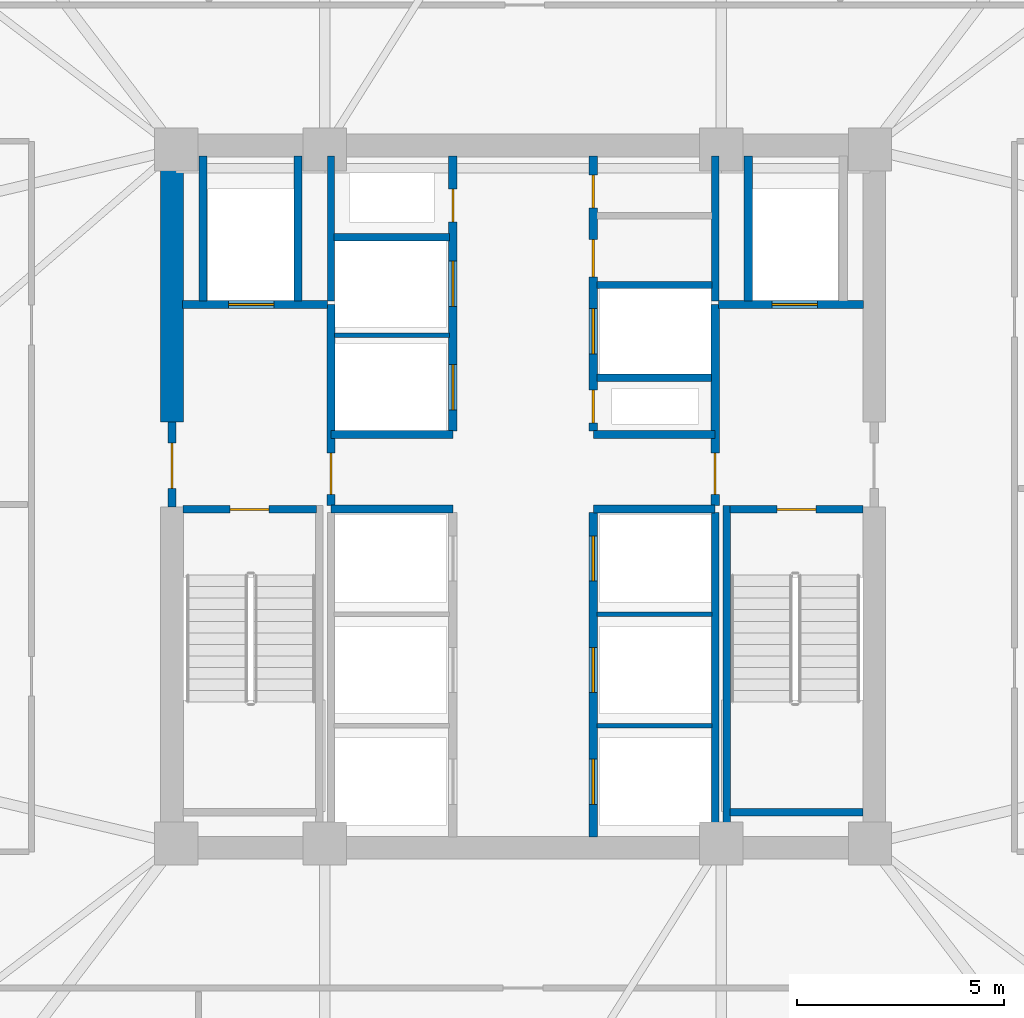
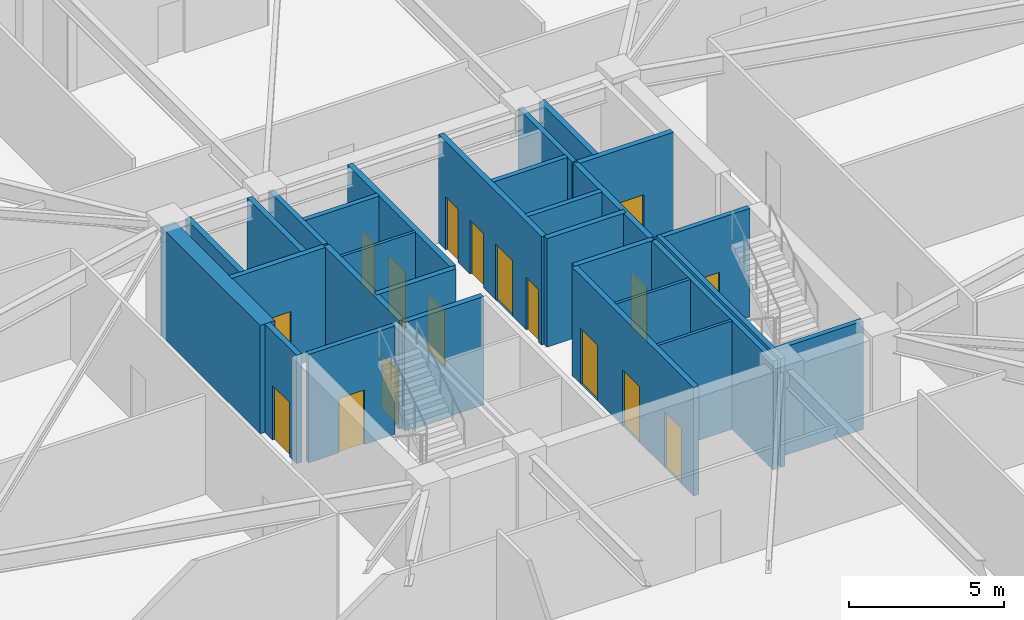
# One storey, part 7 of 13: 29 walls, 17 doors, 17 openings.
"""IFC4 building model written with IfcOpenShell, lengths in metres."""

from ifc_helpers import new_model, si_unit, direction, frame, frame_2d, origin, place, context, subcontext, project, spatial, rectangle, extrude, material, layer, layer_set, type_object, element, fill, save


model = new_model("IFC4")

# Units and contexts
model_context = context("Model", 3, precision=1e-05, world=origin(), true_north=direction((0.0, 1.0)))
body_context = subcontext(model_context, "Body", "Model", "MODEL_VIEW")
ifc_project = project(units=[si_unit("LENGTHUNIT", "METRE"), si_unit("AREAUNIT", "SQUARE_METRE"), si_unit("VOLUMEUNIT", "CUBIC_METRE"), si_unit("PLANEANGLEUNIT", "RADIAN"), si_unit("MASSUNIT", "GRAM", prefix="KILO")], contexts=[model_context])

# Site, building, storey
site_placement = place(None, origin())
site = spatial("IfcSite", under=ifc_project, at=site_placement, CompositionType="ELEMENT")
building_placement = place(site_placement, origin())
building = spatial("IfcBuilding", under=site, at=building_placement, Name="Cairnveth Concourse Tower", CompositionType="ELEMENT")
storey_placement = place(building_placement, frame((0.0, 0.0, 101.5)))
storey = spatial("IfcBuildingStorey", under=building, at=storey_placement, Name="L27", CompositionType="ELEMENT", Elevation=101.5)

# Walls
ifc_material_1 = material(Name="Concrete N80 (80 MPa)", Category="concrete")
ifc_layer_1 = layer(ifc_material_1, 0.550048828125)
ifc_layer_set_1 = layer_set([ifc_layer_1], Name="Concrete N80 (80 MPa)")
wall_type_1 = type_object("IfcWallType", Name="CORE SHEAR WALL 550", PredefinedType="SHEAR", material=ifc_layer_set_1)
wall_1_placement = place(storey_placement, frame((43.5, 40.800048828125, 0.0), z_axis=(0.0, 0.0, 1.0), x_axis=(0.0, 1.0, 0.0)))
element("IfcWall", 1, at=wall_1_placement, inside=storey, type_object=wall_type_1, Name="Core West Shear Wall N L27", PredefinedType="SHEAR", context=body_context, shape_type="SweptSolid", body=[
    extrude(rectangle(XDim=6.43505859375, YDim=0.550048828125, at=frame_2d((3.217529296875, 0.0))), origin(), (0.0, 0.0, 1.0), 4.280029296875),
])
ifc_material_2 = material(Name="Concrete N50 (50 MPa)", Category="concrete")
ifc_layer_2 = layer(ifc_material_2, 0.179931640625)
ifc_layer_set_2 = layer_set([ifc_layer_2], Name="Concrete N50 (50 MPa)")
wall_type_2 = type_object("IfcWallType", Name="FIRE SHAFT WALL 180", PredefinedType="SOLIDWALL", material=ifc_layer_set_2)
wall_2_placement = place(storey_placement, frame((56.64990234375, 30.760009765625, 0.0), z_axis=(0.0, 0.0, 1.0), x_axis=(0.0, 1.0, 0.0)))
element("IfcWall", 2, at=wall_2_placement, inside=storey, type_object=wall_type_2, Name="Interior Wall IW-L27-028", PredefinedType="SOLIDWALL", context=body_context, shape_type="SweptSolid", body=[
    extrude(rectangle(XDim=7.85498046875, YDim=0.179931640625, at=frame_2d((3.927490234375, 0.0))), origin(), (0.0, 0.0, 1.0), 4.280029296875),
])
wall_3_placement = place(storey_placement, frame((47.35009765625, 43.735107421875, 0.0), z_axis=(0.0, 0.0, 1.0), x_axis=(0.0, 1.0, 0.0)))
element("IfcWall", 3, at=wall_3_placement, inside=storey, type_object=wall_type_2, Name="Interior Wall IW-L27-031", PredefinedType="SOLIDWALL", context=body_context, shape_type="SweptSolid", body=[
    extrude(rectangle(XDim=3.5048828125, YDim=0.179931640625, at=frame_2d((1.75244140625, 0.0))), origin(), (0.0, 0.0, 1.0), 4.280029296875),
])
wall_4_placement = place(storey_placement, frame((47.425048828125, 45.280029296875, 0.0), z_axis=(0.0, 0.0, 1.0), x_axis=(1.0, 0.0, 0.0)))
element("IfcWall", 4, at=wall_4_placement, inside=storey, type_object=wall_type_2, Name="Interior Wall IW-L27-033", PredefinedType="SOLIDWALL", context=body_context, shape_type="SweptSolid", body=[
    extrude(rectangle(XDim=2.7900390625, YDim=0.179931640625, at=frame_2d((1.39501953125, 0.0))), origin(), (0.0, 0.0, 1.0), 4.280029296875),
])
wall_5_placement = place(storey_placement, frame((56.64990234375, 43.735107421875, 0.0), z_axis=(0.0, 0.0, 1.0), x_axis=(0.0, 1.0, 0.0)))
element("IfcWall", 5, at=wall_5_placement, inside=storey, type_object=wall_type_2, Name="Interior Wall IW-L27-034", PredefinedType="SOLIDWALL", context=body_context, shape_type="SweptSolid", body=[
    extrude(rectangle(XDim=3.5048828125, YDim=0.179931640625, at=frame_2d((1.75244140625, 0.0))), origin(), (0.0, 0.0, 1.0), 4.280029296875),
])
wall_6_placement = place(storey_placement, frame((53.784912109375, 41.8798828125, 0.0), z_axis=(0.0, 0.0, 1.0), x_axis=(1.0, 0.0, 0.0)))
element("IfcWall", 6, at=wall_6_placement, inside=storey, type_object=wall_type_2, Name="Interior Wall IW-L27-035", PredefinedType="SOLIDWALL", context=body_context, shape_type="SweptSolid", body=[
    extrude(rectangle(XDim=2.780029296875, YDim=0.179931640625, at=frame_2d((1.39013671875, 0.0))), origin(), (0.0, 0.0, 1.0), 4.280029296875),
])
wall_7_placement = place(storey_placement, frame((53.784912109375, 44.1201171875, 0.0), z_axis=(0.0, 0.0, 1.0), x_axis=(1.0, 0.0, 0.0)))
element("IfcWall", 7, at=wall_7_placement, inside=storey, type_object=wall_type_2, Name="Interior Wall IW-L27-036", PredefinedType="SOLIDWALL", context=body_context, shape_type="SweptSolid", body=[
    extrude(rectangle(XDim=2.7900390625, YDim=0.179931640625, at=frame_2d((1.39501953125, 0.0))), origin(), (0.0, 0.0, 1.0), 4.280029296875),
])

# Wall, opening, door
wall_8_placement = place(storey_placement, frame((43.764892578125, 38.68994140625, 0.0), z_axis=(0.0, 0.0, 1.0), x_axis=(1.0, 0.0, 0.0)))
wall_8 = element("IfcWall", 8, at=wall_8_placement, inside=storey, type_object=wall_type_2, Name="Stair ST-1 Shaft Wall NEAR L27", PredefinedType="SOLIDWALL", context=body_context, shape_type="SweptSolid", body=[
    extrude(rectangle(XDim=3.230224609375, YDim=0.179931640625, at=frame_2d((1.615234375, 0.0))), origin(), (0.0, 0.0, 1.0), 4.280029296875),
])
opening_1_placement = place(wall_8_placement, frame((1.139892578125, 0.0, 0.0)))
opening_1 = element("IfcOpeningElement", 9, at=opening_1_placement, cuts=wall_8, Name="Opening ID12", PredefinedType="OPENING", context=body_context, shape_type="SweptSolid", body=[
    extrude(rectangle(XDim=0.949951171875, YDim=2.14990234375, at=frame_2d((0.47509765625, 1.074951171875))), frame((0.0, 0.099853515625, 0.0), z_axis=(0.0, -1.0, 0.0), x_axis=(1.0, 0.0, 0.0)), (0.0, 0.0, 1.0), 0.199951171875),
])
ifc_material_3 = material(Name="Steel Grade 350", Category="steel")
door_type_1 = type_object("IfcDoorType", Name="FIRE STAIR DOOR 950X2150", OperationType="NOTDEFINED", PredefinedType="DOOR", material=ifc_material_3)
door_1_placement = place(opening_1_placement, origin())
door_1 = element("IfcDoor", 10, at=door_1_placement, inside=storey, type_object=door_type_1, Name="Stair ST-1 Fire Door L27", OperationType="SINGLE_SWING_LEFT", OverallHeight=2.14990234375, OverallWidth=0.949951171875, PredefinedType="DOOR", context=body_context, shape_type="SweptSolid", body=[
    extrude(rectangle(XDim=0.949951171875, YDim=2.14990234375, at=frame_2d((0.47509765625, 1.074951171875))), frame((0.0, 0.02490234375, 0.0), z_axis=(0.0, -1.0, 0.0), x_axis=(1.0, 0.0, 0.0)), (0.0, 0.0, 1.0), 0.050048828125),
])
fill(opening_1, door_1)

wall_9_placement = place(storey_placement, frame((57.0048828125, 38.68994140625, 0.0), z_axis=(0.0, 0.0, 1.0), x_axis=(1.0, 0.0, 0.0)))
wall_9 = element("IfcWall", 11, at=wall_9_placement, inside=storey, type_object=wall_type_2, Name="Stair ST-2 Shaft Wall NEAR L27", PredefinedType="SOLIDWALL", context=body_context, shape_type="SweptSolid", body=[
    extrude(rectangle(XDim=3.230224609375, YDim=0.179931640625, at=frame_2d((1.615234375, 0.0))), origin(), (0.0, 0.0, 1.0), 4.280029296875),
])
opening_2_placement = place(wall_9_placement, frame((1.139892578125, 0.0, 0.0)))
opening_2 = element("IfcOpeningElement", 12, at=opening_2_placement, cuts=wall_9, Name="Opening ID12", PredefinedType="OPENING", context=body_context, shape_type="SweptSolid", body=[
    extrude(rectangle(XDim=0.949951171875, YDim=2.14990234375, at=frame_2d((0.47509765625, 1.074951171875))), frame((0.0, 0.099853515625, 0.0), z_axis=(0.0, -1.0, 0.0), x_axis=(1.0, 0.0, 0.0)), (0.0, 0.0, 1.0), 0.199951171875),
])
door_2_placement = place(opening_2_placement, origin())
door_2 = element("IfcDoor", 13, at=door_2_placement, inside=storey, type_object=door_type_1, Name="Stair ST-2 Fire Door L27", OperationType="SINGLE_SWING_RIGHT", OverallHeight=2.14990234375, OverallWidth=0.949951171875, PredefinedType="DOOR", context=body_context, shape_type="SweptSolid", body=[
    extrude(rectangle(XDim=0.949951171875, YDim=2.14990234375, at=frame_2d((0.47509765625, 1.074951171875))), frame((0.0, 0.02490234375, 0.0), z_axis=(0.0, -1.0, 0.0), x_axis=(1.0, 0.0, 0.0)), (0.0, 0.0, 1.0), 0.050048828125),
])
fill(opening_2, door_2)

# Walls
wall_10_placement = place(storey_placement, frame((57.0048828125, 31.360107421875, 0.0), z_axis=(0.0, 0.0, 1.0), x_axis=(1.0, 0.0, 0.0)))
element("IfcWall", 14, at=wall_10_placement, inside=storey, type_object=wall_type_2, Name="Stair ST-2 Shaft Wall FAR L27", PredefinedType="SOLIDWALL", context=body_context, shape_type="SweptSolid", body=[
    extrude(rectangle(XDim=3.230224609375, YDim=0.179931640625, at=frame_2d((1.615234375, 0.0))), origin(), (0.0, 0.0, 1.0), 4.280029296875),
])
wall_11_placement = place(storey_placement, frame((56.929931640625, 38.780029296875, 0.0), z_axis=(0.0, 0.0, 1.0), x_axis=(0.0, -1.0, 0.0)))
element("IfcWall", 15, at=wall_11_placement, inside=storey, type_object=wall_type_2, Name="Stair ST-2 Shaft Wall LEFT L27", PredefinedType="SOLIDWALL", context=body_context, shape_type="SweptSolid", body=[
    extrude(rectangle(XDim=8.01708984375, YDim=0.179931640625, at=frame_2d((4.008544921875, 0.0))), origin(), (0.0, 0.0, 1.0), 4.280029296875),
])
ifc_layer_3 = layer(ifc_material_2, 0.199951171875)
ifc_layer_set_3 = layer_set([ifc_layer_3], Name="Concrete N50 (50 MPa)")
wall_type_3 = type_object("IfcWallType", Name="FIRE SHAFT WALL 200", PredefinedType="SOLIDWALL", material=ifc_layer_set_3)
for number, where, z_axis, x_axis, name in (
    (16, (47.35009765625, 38.699951171875, 0.0), (0.0, 0.0, 1.0), (1.0, 0.0, 0.0), "Interior Wall IW-L27-007"),
    (17, (47.35009765625, 40.5, 0.0), (0.0, 0.0, 1.0), (1.0, 0.0, 0.0), "Interior Wall IW-L27-008"),
    (18, (53.699951171875, 38.699951171875, 0.0), (0.0, 0.0, 1.0), (1.0, 0.0, 0.0), "Interior Wall IW-L27-009"),
    (19, (53.699951171875, 40.5, 0.0), (0.0, 0.0, 1.0), (1.0, 0.0, 0.0), "Interior Wall IW-L27-010"),
):
    element("IfcWall", number, at=place(storey_placement, frame(where, z_axis=z_axis, x_axis=x_axis)), inside=storey, type_object=wall_type_3, Name=name, PredefinedType="SOLIDWALL", context=body_context, shape_type="SweptSolid", body=[
        extrude(rectangle(XDim=2.949951171875, YDim=0.199951171875, at=frame_2d((1.47509765625, 0.0))), origin(), (0.0, 0.0, 1.0), 4.280029296875),
    ])

# Wall, openings, doors
wall_12_placement = place(storey_placement, frame((53.699951171875, 30.760009765625, 0.0), z_axis=(0.0, 0.0, 1.0), x_axis=(0.0, 1.0, 0.0)))
wall_12 = element("IfcWall", 20, at=wall_12_placement, inside=storey, type_object=wall_type_3, Name="Interior Wall IW-L27-012", PredefinedType="SOLIDWALL", context=body_context, shape_type="SweptSolid", body=[
    extrude(rectangle(XDim=7.85498046875, YDim=0.199951171875, at=frame_2d((3.927490234375, 0.0))), origin(), (0.0, 0.0, 1.0), 4.280029296875),
])
opening_3_placement = place(wall_12_placement, frame((0.7900390625, 0.0, 0.0)))
opening_3 = element("IfcOpeningElement", 21, at=opening_3_placement, cuts=wall_12, Name="Opening LD-1", PredefinedType="OPENING", context=body_context, shape_type="SweptSolid", body=[
    extrude(rectangle(XDim=1.10009765625, YDim=2.199951171875, at=frame_2d((0.550048828125, 1.10009765625))), frame((0.0, 0.10986328125, 0.0), z_axis=(0.0, -1.0, 0.0), x_axis=(1.0, 0.0, 0.0)), (0.0, 0.0, 1.0), 0.219970703125),
])
opening_4_placement = place(wall_12_placement, frame((3.489990234375, 0.0, 0.0)))
opening_4 = element("IfcOpeningElement", 22, at=opening_4_placement, cuts=wall_12, Name="Opening LD-1", PredefinedType="OPENING", context=body_context, shape_type="SweptSolid", body=[
    extrude(rectangle(XDim=1.10009765625, YDim=2.199951171875, at=frame_2d((0.550048828125, 1.10009765625))), frame((0.0, 0.10986328125, 0.0), z_axis=(0.0, -1.0, 0.0), x_axis=(1.0, 0.0, 0.0)), (0.0, 0.0, 1.0), 0.219970703125),
])
opening_5_placement = place(wall_12_placement, frame((6.18994140625, 0.0, 0.0)))
opening_5 = element("IfcOpeningElement", 23, at=opening_5_placement, cuts=wall_12, Name="Opening LD-1", PredefinedType="OPENING", context=body_context, shape_type="SweptSolid", body=[
    extrude(rectangle(XDim=1.10009765625, YDim=2.199951171875, at=frame_2d((0.550048828125, 1.10009765625))), frame((0.0, 0.10986328125, 0.0), z_axis=(0.0, -1.0, 0.0), x_axis=(1.0, 0.0, 0.0)), (0.0, 0.0, 1.0), 0.219970703125),
])
ifc_material_4 = material(Name="Architectural Bronze Anodised Aluminium 6063-T6", Category="aluminium")
door_type_2 = type_object("IfcDoorType", Name="LIFT LANDING DOOR 1100X2200", OperationType="SLIDING_TO_LEFT", PredefinedType="DOOR", material=ifc_material_4)
door_3_placement = place(opening_3_placement, origin())
door_3 = element("IfcDoor", 24, at=door_3_placement, inside=storey, type_object=door_type_2, Name="Lift PL4 Landing Door L27", OperationType="SLIDING_TO_LEFT", OverallHeight=2.199951171875, OverallWidth=1.10009765625, PredefinedType="DOOR", context=body_context, shape_type="SweptSolid", body=[
    extrude(rectangle(XDim=1.10009765625, YDim=2.199951171875, at=frame_2d((0.550048828125, 1.10009765625))), frame((0.0, 0.02490234375, 0.0), z_axis=(0.0, -1.0, 0.0), x_axis=(1.0, 0.0, 0.0)), (0.0, 0.0, 1.0), 0.050048828125),
])
fill(opening_3, door_3)
door_4_placement = place(opening_4_placement, origin())
door_4 = element("IfcDoor", 25, at=door_4_placement, inside=storey, type_object=door_type_2, Name="Lift PL5 Landing Door L27", OperationType="SLIDING_TO_LEFT", OverallHeight=2.199951171875, OverallWidth=1.10009765625, PredefinedType="DOOR", context=body_context, shape_type="SweptSolid", body=[
    extrude(rectangle(XDim=1.10009765625, YDim=2.199951171875, at=frame_2d((0.550048828125, 1.10009765625))), frame((0.0, 0.02490234375, 0.0), z_axis=(0.0, -1.0, 0.0), x_axis=(1.0, 0.0, 0.0)), (0.0, 0.0, 1.0), 0.050048828125),
])
fill(opening_4, door_4)
door_5_placement = place(opening_5_placement, origin())
door_5 = element("IfcDoor", 26, at=door_5_placement, inside=storey, type_object=door_type_2, Name="Lift PL6 Landing Door L27", OperationType="SLIDING_TO_LEFT", OverallHeight=2.199951171875, OverallWidth=1.10009765625, PredefinedType="DOOR", context=body_context, shape_type="SweptSolid", body=[
    extrude(rectangle(XDim=1.10009765625, YDim=2.199951171875, at=frame_2d((0.550048828125, 1.10009765625))), frame((0.0, 0.02490234375, 0.0), z_axis=(0.0, -1.0, 0.0), x_axis=(1.0, 0.0, 0.0)), (0.0, 0.0, 1.0), 0.050048828125),
])
fill(opening_5, door_5)

wall_13_placement = place(storey_placement, frame((50.300048828125, 40.5849609375, 0.0), z_axis=(0.0, 0.0, 1.0), x_axis=(0.0, 1.0, 0.0)))
wall_13 = element("IfcWall", 27, at=wall_13_placement, inside=storey, type_object=wall_type_3, Name="Interior Wall IW-L27-013", PredefinedType="SOLIDWALL", context=body_context, shape_type="SweptSolid", body=[
    extrude(rectangle(XDim=6.655029296875, YDim=0.199951171875, at=frame_2d((3.32763671875, 0.0))), origin(), (0.0, 0.0, 1.0), 4.280029296875),
])
opening_6_placement = place(wall_13_placement, frame((0.514892578125, 0.0, 0.0)))
opening_6 = element("IfcOpeningElement", 28, at=opening_6_placement, cuts=wall_13, Name="Opening LD-1", PredefinedType="OPENING", context=body_context, shape_type="SweptSolid", body=[
    extrude(rectangle(XDim=1.10009765625, YDim=2.199951171875, at=frame_2d((0.550048828125, 1.10009765625))), frame((0.0, 0.10986328125, 0.0), z_axis=(0.0, -1.0, 0.0), x_axis=(1.0, 0.0, 0.0)), (0.0, 0.0, 1.0), 0.219970703125),
])
opening_7_placement = place(wall_13_placement, frame((3.014892578125, 0.0, 0.0)))
opening_7 = element("IfcOpeningElement", 29, at=opening_7_placement, cuts=wall_13, Name="Opening LD-1", PredefinedType="OPENING", context=body_context, shape_type="SweptSolid", body=[
    extrude(rectangle(XDim=1.10009765625, YDim=2.199951171875, at=frame_2d((0.550048828125, 1.10009765625))), frame((0.0, 0.10986328125, 0.0), z_axis=(0.0, -1.0, 0.0), x_axis=(1.0, 0.0, 0.0)), (0.0, 0.0, 1.0), 0.219970703125),
])
opening_8_placement = place(wall_13_placement, frame((5.06494140625, 0.0, 0.0)))
opening_8 = element("IfcOpeningElement", 30, at=opening_8_placement, cuts=wall_13, Name="Opening ID24", PredefinedType="OPENING", context=body_context, shape_type="SweptSolid", body=[
    extrude(rectangle(XDim=0.800048828125, YDim=2.080078125, at=frame_2d((0.39990234375, 1.0400390625))), frame((0.0, 0.10986328125, 0.0), z_axis=(0.0, -1.0, 0.0), x_axis=(1.0, 0.0, 0.0)), (0.0, 0.0, 1.0), 0.219970703125),
])
door_6_placement = place(opening_6_placement, origin())
door_6 = element("IfcDoor", 31, at=door_6_placement, inside=storey, type_object=door_type_2, Name="Lift PL7 Landing Door L27", OperationType="SLIDING_TO_LEFT", OverallHeight=2.199951171875, OverallWidth=1.10009765625, PredefinedType="DOOR", context=body_context, shape_type="SweptSolid", body=[
    extrude(rectangle(XDim=1.10009765625, YDim=2.199951171875, at=frame_2d((0.550048828125, 1.10009765625))), frame((0.0, 0.02490234375, 0.0), z_axis=(0.0, -1.0, 0.0), x_axis=(1.0, 0.0, 0.0)), (0.0, 0.0, 1.0), 0.050048828125),
])
fill(opening_6, door_6)
door_7_placement = place(opening_7_placement, origin())
door_7 = element("IfcDoor", 32, at=door_7_placement, inside=storey, type_object=door_type_2, Name="Lift PL8 Landing Door L27", OperationType="SLIDING_TO_LEFT", OverallHeight=2.199951171875, OverallWidth=1.10009765625, PredefinedType="DOOR", context=body_context, shape_type="SweptSolid", body=[
    extrude(rectangle(XDim=1.10009765625, YDim=2.199951171875, at=frame_2d((0.550048828125, 1.10009765625))), frame((0.0, 0.02490234375, 0.0), z_axis=(0.0, -1.0, 0.0), x_axis=(1.0, 0.0, 0.0)), (0.0, 0.0, 1.0), 0.050048828125),
])
fill(opening_7, door_7)
door_type_3 = type_object("IfcDoorType", Name="RISER ACCESS DOOR 800X2100", OperationType="NOTDEFINED", PredefinedType="DOOR", material=ifc_material_3)
door_8_placement = place(opening_8_placement, origin())
door_8 = element("IfcDoor", 33, at=door_8_placement, inside=storey, type_object=door_type_3, Name="NW Electrical Riser Access Door L27", OperationType="SINGLE_SWING_LEFT", OverallHeight=2.080078125, OverallWidth=0.800048828125, PredefinedType="DOOR", context=body_context, shape_type="SweptSolid", body=[
    extrude(rectangle(XDim=0.800048828125, YDim=2.080078125, at=frame_2d((0.39990234375, 1.0400390625))), frame((0.0, 0.02490234375, 0.0), z_axis=(0.0, -1.0, 0.0), x_axis=(1.0, 0.0, 0.0)), (0.0, 0.0, 1.0), 0.050048828125),
])
fill(opening_8, door_8)

wall_14_placement = place(storey_placement, frame((53.699951171875, 40.5849609375, 0.0), z_axis=(0.0, 0.0, 1.0), x_axis=(0.0, 1.0, 0.0)))
wall_14 = element("IfcWall", 34, at=wall_14_placement, inside=storey, type_object=wall_type_3, Name="Interior Wall IW-L27-014", PredefinedType="SOLIDWALL", context=body_context, shape_type="SweptSolid", body=[
    extrude(rectangle(XDim=6.655029296875, YDim=0.199951171875, at=frame_2d((3.32763671875, 0.0))), origin(), (0.0, 0.0, 1.0), 4.280029296875),
])
opening_9_placement = place(wall_14_placement, frame((0.195068359375, 0.0, 0.0)))
opening_9 = element("IfcOpeningElement", 35, at=opening_9_placement, cuts=wall_14, Name="Opening ID24", PredefinedType="OPENING", context=body_context, shape_type="SweptSolid", body=[
    extrude(rectangle(XDim=0.800048828125, YDim=2.080078125, at=frame_2d((0.39990234375, 1.0400390625))), frame((0.0, 0.10986328125, 0.0), z_axis=(0.0, -1.0, 0.0), x_axis=(1.0, 0.0, 0.0)), (0.0, 0.0, 1.0), 0.219970703125),
])
opening_10_placement = place(wall_14_placement, frame((1.864990234375, 0.0, 0.0)))
opening_10 = element("IfcOpeningElement", 36, at=opening_10_placement, cuts=wall_14, Name="Opening LD-1", PredefinedType="OPENING", context=body_context, shape_type="SweptSolid", body=[
    extrude(rectangle(XDim=1.10009765625, YDim=2.199951171875, at=frame_2d((0.550048828125, 1.10009765625))), frame((0.0, 0.10986328125, 0.0), z_axis=(0.0, -1.0, 0.0), x_axis=(1.0, 0.0, 0.0)), (0.0, 0.0, 1.0), 0.219970703125),
])
opening_11_placement = place(wall_14_placement, frame((3.735107421875, 0.0, 0.0)))
opening_11 = element("IfcOpeningElement", 37, at=opening_11_placement, cuts=wall_14, Name="Opening ID26", PredefinedType="OPENING", context=body_context, shape_type="SweptSolid", body=[
    extrude(rectangle(XDim=0.89990234375, YDim=2.1201171875, at=frame_2d((0.449951171875, 1.06005859375))), frame((0.0, 0.10986328125, 0.0), z_axis=(0.0, -1.0, 0.0), x_axis=(1.0, 0.0, 0.0)), (0.0, 0.0, 1.0), 0.219970703125),
])
opening_12_placement = place(wall_14_placement, frame((5.39501953125, 0.0, 0.0)))
opening_12 = element("IfcOpeningElement", 38, at=opening_12_placement, cuts=wall_14, Name="Opening ID23", PredefinedType="OPENING", context=body_context, shape_type="SweptSolid", body=[
    extrude(rectangle(XDim=0.800048828125, YDim=2.10009765625, at=frame_2d((0.39990234375, 1.050048828125))), frame((0.0, 0.10986328125, 0.0), z_axis=(0.0, -1.0, 0.0), x_axis=(1.0, 0.0, 0.0)), (0.0, 0.0, 1.0), 0.219970703125),
])
door_type_4 = type_object("IfcDoorType", Name="CORE SERVICE DOOR 800X2100", OperationType="NOTDEFINED", PredefinedType="DOOR", material=ifc_material_3)
door_9_placement = place(opening_12_placement, origin())
door_9 = element("IfcDoor", 39, at=door_9_placement, inside=storey, type_object=door_type_4, Name="Core NE Cleaners Door L27", OperationType="SINGLE_SWING_LEFT", OverallHeight=2.10009765625, OverallWidth=0.800048828125, PredefinedType="DOOR", context=body_context, shape_type="SweptSolid", body=[
    extrude(rectangle(XDim=0.800048828125, YDim=2.10009765625, at=frame_2d((0.39990234375, 1.050048828125))), frame((0.0, 0.02490234375, 0.0), z_axis=(0.0, -1.0, 0.0), x_axis=(1.0, 0.0, 0.0)), (0.0, 0.0, 1.0), 0.050048828125),
])
fill(opening_12, door_9)
door_type_5 = type_object("IfcDoorType", Name="CORE TOILET FIRE DOOR 900X2120", OperationType="NOTDEFINED", PredefinedType="DOOR", material=ifc_material_3)
door_10_placement = place(opening_11_placement, origin())
door_10 = element("IfcDoor", 40, at=door_10_placement, inside=storey, type_object=door_type_5, Name="Core NE Unisex WC Door L27", OperationType="SINGLE_SWING_RIGHT", OverallHeight=2.1201171875, OverallWidth=0.89990234375, PredefinedType="DOOR", context=body_context, shape_type="SweptSolid", body=[
    extrude(rectangle(XDim=0.89990234375, YDim=2.1201171875, at=frame_2d((0.449951171875, 1.06005859375))), frame((0.0, 0.02490234375, 0.0), z_axis=(0.0, -1.0, 0.0), x_axis=(1.0, 0.0, 0.0)), (0.0, 0.0, 1.0), 0.050048828125),
])
fill(opening_11, door_10)
door_11_placement = place(opening_10_placement, origin())
door_11 = element("IfcDoor", 41, at=door_11_placement, inside=storey, type_object=door_type_2, Name="Lift PL9 Landing Door L27", OperationType="SLIDING_TO_LEFT", OverallHeight=2.199951171875, OverallWidth=1.10009765625, PredefinedType="DOOR", context=body_context, shape_type="SweptSolid", body=[
    extrude(rectangle(XDim=1.10009765625, YDim=2.199951171875, at=frame_2d((0.550048828125, 1.10009765625))), frame((0.0, 0.02490234375, 0.0), z_axis=(0.0, -1.0, 0.0), x_axis=(1.0, 0.0, 0.0)), (0.0, 0.0, 1.0), 0.050048828125),
])
fill(opening_10, door_11)
door_12_placement = place(opening_9_placement, origin())
door_12 = element("IfcDoor", 42, at=door_12_placement, inside=storey, type_object=door_type_3, Name="Hydraulic Riser Door L27", OperationType="SINGLE_SWING_RIGHT", OverallHeight=2.080078125, OverallWidth=0.800048828125, PredefinedType="DOOR", context=body_context, shape_type="SweptSolid", body=[
    extrude(rectangle(XDim=0.800048828125, YDim=2.080078125, at=frame_2d((0.39990234375, 1.0400390625))), frame((0.0, 0.02490234375, 0.0), z_axis=(0.0, -1.0, 0.0), x_axis=(1.0, 0.0, 0.0)), (0.0, 0.0, 1.0), 0.050048828125),
])
fill(opening_9, door_12)

# Wall, opening, door
wall_15_placement = place(storey_placement, frame((43.5, 38.75, 0.0), z_axis=(0.0, 0.0, 1.0), x_axis=(0.0, 1.0, 0.0)))
wall_15 = element("IfcWall", 43, at=wall_15_placement, inside=storey, type_object=wall_type_3, Name="Interior Wall IW-L27-015", PredefinedType="SOLIDWALL", context=body_context, shape_type="SweptSolid", body=[
    extrude(rectangle(XDim=2.050048828125, YDim=0.199951171875, at=frame_2d((1.02490234375, 0.0))), origin(), (0.0, 0.0, 1.0), 4.280029296875),
])
opening_13_placement = place(wall_15_placement, frame((0.449951171875, 0.0, 0.0)))
opening_13 = element("IfcOpeningElement", 44, at=opening_13_placement, cuts=wall_15, Name="Opening ID06", PredefinedType="OPENING", context=body_context, shape_type="SweptSolid", body=[
    extrude(rectangle(XDim=1.10009765625, YDim=2.14990234375, at=frame_2d((0.550048828125, 1.074951171875))), frame((0.0, 0.10986328125, 0.0), z_axis=(0.0, -1.0, 0.0), x_axis=(1.0, 0.0, 0.0)), (0.0, 0.0, 1.0), 0.219970703125),
])
door_type_6 = type_object("IfcDoorType", Name="FIRE CORRIDOR DOOR 1100X2150", OperationType="NOTDEFINED", PredefinedType="DOOR", material=ifc_material_3)
door_13_placement = place(opening_13_placement, origin())
door_13 = element("IfcDoor", 45, at=door_13_placement, inside=storey, type_object=door_type_6, Name="West Wing to FF Lobby Door L27", OperationType="SINGLE_SWING_LEFT", OverallHeight=2.14990234375, OverallWidth=1.10009765625, PredefinedType="DOOR", context=body_context, shape_type="SweptSolid", body=[
    extrude(rectangle(XDim=1.10009765625, YDim=2.14990234375, at=frame_2d((0.550048828125, 1.074951171875))), frame((0.0, 0.02490234375, 0.0), z_axis=(0.0, -1.0, 0.0), x_axis=(1.0, 0.0, 0.0)), (0.0, 0.0, 1.0), 0.050048828125),
])
fill(opening_13, door_13)

wall_16_placement = place(storey_placement, frame((47.35009765625, 38.784912109375, 0.0), z_axis=(0.0, 0.0, 1.0), x_axis=(0.0, 1.0, 0.0)))
wall_16 = element("IfcWall", 46, at=wall_16_placement, inside=storey, type_object=wall_type_3, Name="Interior Wall IW-L27-016", PredefinedType="SOLIDWALL", context=body_context, shape_type="SweptSolid", body=[
    extrude(rectangle(XDim=4.864990234375, YDim=0.199951171875, at=frame_2d((2.4326171875, 0.0))), origin(), (0.0, 0.0, 1.0), 4.280029296875),
])
opening_14_placement = place(wall_16_placement, frame((0.264892578125, 0.0, 0.0)))
opening_14 = element("IfcOpeningElement", 47, at=opening_14_placement, cuts=wall_16, Name="Opening ID07", PredefinedType="OPENING", context=body_context, shape_type="SweptSolid", body=[
    extrude(rectangle(XDim=1.0, YDim=2.14990234375, at=frame_2d((0.5, 1.074951171875))), frame((0.0, 0.10986328125, 0.0), z_axis=(0.0, -1.0, 0.0), x_axis=(1.0, 0.0, 0.0)), (0.0, 0.0, 1.0), 0.219970703125),
])
door_type_7 = type_object("IfcDoorType", Name="FIRE CORRIDOR DOOR 1000X2150", OperationType="NOTDEFINED", PredefinedType="DOOR", material=ifc_material_3)
door_14_placement = place(opening_14_placement, origin())
door_14 = element("IfcDoor", 48, at=door_14_placement, inside=storey, type_object=door_type_7, Name="FF Lobby West to Lift Lobby Door L27", OperationType="SINGLE_SWING_RIGHT", OverallHeight=2.14990234375, OverallWidth=1.0, PredefinedType="DOOR", context=body_context, shape_type="SweptSolid", body=[
    extrude(rectangle(XDim=1.0, YDim=2.14990234375, at=frame_2d((0.5, 1.074951171875))), frame((0.0, 0.02490234375, 0.0), z_axis=(0.0, -1.0, 0.0), x_axis=(1.0, 0.0, 0.0)), (0.0, 0.0, 1.0), 0.050048828125),
])
fill(opening_14, door_14)

wall_17_placement = place(storey_placement, frame((43.760009765625, 43.64990234375, 0.0), z_axis=(0.0, 0.0, 1.0), x_axis=(1.0, 0.0, 0.0)))
wall_17 = element("IfcWall", 49, at=wall_17_placement, inside=storey, type_object=wall_type_3, Name="Interior Wall IW-L27-017", PredefinedType="SOLIDWALL", context=body_context, shape_type="SweptSolid", body=[
    extrude(rectangle(XDim=3.5048828125, YDim=0.199951171875, at=frame_2d((1.75244140625, 0.0))), origin(), (0.0, 0.0, 1.0), 4.280029296875),
])
opening_15_placement = place(wall_17_placement, frame((1.110107421875, 0.0, 0.0)))
opening_15 = element("IfcOpeningElement", 50, at=opening_15_placement, cuts=wall_17, Name="Opening LD-1", PredefinedType="OPENING", context=body_context, shape_type="SweptSolid", body=[
    extrude(rectangle(XDim=1.10009765625, YDim=2.199951171875, at=frame_2d((0.550048828125, 1.10009765625))), frame((0.0, 0.10986328125, 0.0), z_axis=(0.0, -1.0, 0.0), x_axis=(1.0, 0.0, 0.0)), (0.0, 0.0, 1.0), 0.219970703125),
])
door_15_placement = place(opening_15_placement, origin())
door_15 = element("IfcDoor", 51, at=door_15_placement, inside=storey, type_object=door_type_2, Name="Lift FFL1 Landing Door L27", OperationType="SLIDING_TO_LEFT", OverallHeight=2.199951171875, OverallWidth=1.10009765625, PredefinedType="DOOR", context=body_context, shape_type="SweptSolid", body=[
    extrude(rectangle(XDim=1.10009765625, YDim=2.199951171875, at=frame_2d((0.550048828125, 1.10009765625))), frame((0.0, 0.02490234375, 0.0), z_axis=(0.0, -1.0, 0.0), x_axis=(1.0, 0.0, 0.0)), (0.0, 0.0, 1.0), 0.050048828125),
])
fill(opening_15, door_15)

# Walls
for number, where, z_axis, x_axis, name in (
    (52, (46.550048828125, 43.735107421875, 0.0), (0.0, 0.0, 1.0), (0.0, 1.0, 0.0), "Interior Wall IW-L27-018"),
    (53, (44.25, 43.735107421875, 0.0), (0.0, 0.0, 1.0), (0.0, 1.0, 0.0), "Interior Wall IW-L27-019"),
):
    element("IfcWall", number, at=place(storey_placement, frame(where, z_axis=z_axis, x_axis=x_axis)), inside=storey, type_object=wall_type_3, Name=name, PredefinedType="SOLIDWALL", context=body_context, shape_type="SweptSolid", body=[
        extrude(rectangle(XDim=3.5048828125, YDim=0.199951171875, at=frame_2d((1.75244140625, 0.0))), origin(), (0.0, 0.0, 1.0), 4.280029296875),
    ])

# Wall, opening, door
wall_18_placement = place(storey_placement, frame((56.64990234375, 38.784912109375, 0.0), z_axis=(0.0, 0.0, 1.0), x_axis=(0.0, 1.0, 0.0)))
wall_18 = element("IfcWall", 54, at=wall_18_placement, inside=storey, type_object=wall_type_3, Name="Interior Wall IW-L27-021", PredefinedType="SOLIDWALL", context=body_context, shape_type="SweptSolid", body=[
    extrude(rectangle(XDim=4.864990234375, YDim=0.199951171875, at=frame_2d((2.4326171875, 0.0))), origin(), (0.0, 0.0, 1.0), 4.280029296875),
])
opening_16_placement = place(wall_18_placement, frame((0.264892578125, 0.0, 0.0)))
opening_16 = element("IfcOpeningElement", 55, at=opening_16_placement, cuts=wall_18, Name="Opening ID07", PredefinedType="OPENING", context=body_context, shape_type="SweptSolid", body=[
    extrude(rectangle(XDim=1.0, YDim=2.14990234375, at=frame_2d((0.5, 1.074951171875))), frame((0.0, 0.10986328125, 0.0), z_axis=(0.0, -1.0, 0.0), x_axis=(1.0, 0.0, 0.0)), (0.0, 0.0, 1.0), 0.219970703125),
])
door_16_placement = place(opening_16_placement, origin())
door_16 = element("IfcDoor", 56, at=door_16_placement, inside=storey, type_object=door_type_7, Name="FF Lobby East to Lift Lobby Door L27", OperationType="SINGLE_SWING_LEFT", OverallHeight=2.14990234375, OverallWidth=1.0, PredefinedType="DOOR", context=body_context, shape_type="SweptSolid", body=[
    extrude(rectangle(XDim=1.0, YDim=2.14990234375, at=frame_2d((0.5, 1.074951171875))), frame((0.0, 0.02490234375, 0.0), z_axis=(0.0, -1.0, 0.0), x_axis=(1.0, 0.0, 0.0)), (0.0, 0.0, 1.0), 0.050048828125),
])
fill(opening_16, door_16)

wall_19_placement = place(storey_placement, frame((56.735107421875, 43.64990234375, 0.0), z_axis=(0.0, 0.0, 1.0), x_axis=(1.0, 0.0, 0.0)))
wall_19 = element("IfcWall", 57, at=wall_19_placement, inside=storey, type_object=wall_type_3, Name="Interior Wall IW-L27-022", PredefinedType="SOLIDWALL", context=body_context, shape_type="SweptSolid", body=[
    extrude(rectangle(XDim=3.5048828125, YDim=0.199951171875, at=frame_2d((1.75244140625, 0.0))), origin(), (0.0, 0.0, 1.0), 4.280029296875),
])
opening_17_placement = place(wall_19_placement, frame((1.294921875, 0.0, 0.0)))
opening_17 = element("IfcOpeningElement", 58, at=opening_17_placement, cuts=wall_19, Name="Opening LD-1", PredefinedType="OPENING", context=body_context, shape_type="SweptSolid", body=[
    extrude(rectangle(XDim=1.10009765625, YDim=2.199951171875, at=frame_2d((0.550048828125, 1.10009765625))), frame((0.0, 0.10986328125, 0.0), z_axis=(0.0, -1.0, 0.0), x_axis=(1.0, 0.0, 0.0)), (0.0, 0.0, 1.0), 0.219970703125),
])
door_17_placement = place(opening_17_placement, origin())
door_17 = element("IfcDoor", 59, at=door_17_placement, inside=storey, type_object=door_type_2, Name="Lift FFL2 Landing Door L27", OperationType="SLIDING_TO_LEFT", OverallHeight=2.199951171875, OverallWidth=1.10009765625, PredefinedType="DOOR", context=body_context, shape_type="SweptSolid", body=[
    extrude(rectangle(XDim=1.10009765625, YDim=2.199951171875, at=frame_2d((0.550048828125, 1.10009765625))), frame((0.0, 0.02490234375, 0.0), z_axis=(0.0, -1.0, 0.0), x_axis=(1.0, 0.0, 0.0)), (0.0, 0.0, 1.0), 0.050048828125),
])
fill(opening_17, door_17)

# Walls
wall_20_placement = place(storey_placement, frame((57.449951171875, 43.735107421875, 0.0), z_axis=(0.0, 0.0, 1.0), x_axis=(0.0, 1.0, 0.0)))
element("IfcWall", 60, at=wall_20_placement, inside=storey, type_object=wall_type_3, Name="Interior Wall IW-L27-023", PredefinedType="SOLIDWALL", context=body_context, shape_type="SweptSolid", body=[
    extrude(rectangle(XDim=3.5048828125, YDim=0.199951171875, at=frame_2d((1.75244140625, 0.0))), origin(), (0.0, 0.0, 1.0), 4.280029296875),
])
ifc_material_5 = material(Name="Gypsum Plasterboard Partition", Category="gypsum")
ifc_layer_4 = layer(ifc_material_5, 0.110107421875)
ifc_layer_set_4 = layer_set([ifc_layer_4], Name="Gypsum Plasterboard Partition")
wall_type_4 = type_object("IfcWallType", Name="SHAFT DIVIDER WALL 140", PredefinedType="PARTITIONING", material=ifc_layer_set_4)
for number, where, z_axis, x_axis, name in (
    (61, (53.784912109375, 33.449951171875, 0.0), (0.0, 0.0, 1.0), (1.0, 0.0, 0.0), "Interior Wall IW-L27-029"),
    (62, (53.784912109375, 36.14990234375, 0.0), (0.0, 0.0, 1.0), (1.0, 0.0, 0.0), "Interior Wall IW-L27-030"),
):
    element("IfcWall", number, at=place(storey_placement, frame(where, z_axis=z_axis, x_axis=x_axis)), inside=storey, type_object=wall_type_4, Name=name, PredefinedType="PARTITIONING", context=body_context, shape_type="SweptSolid", body=[
        extrude(rectangle(XDim=2.7900390625, YDim=0.110107421875, at=frame_2d((1.39501953125, 0.0))), origin(), (0.0, 0.0, 1.0), 4.280029296875),
    ])
wall_21_placement = place(storey_placement, frame((47.43505859375, 42.89990234375, 0.0), z_axis=(0.0, 0.0, 1.0), x_axis=(1.0, 0.0, 0.0)))
element("IfcWall", 63, at=wall_21_placement, inside=storey, type_object=wall_type_4, Name="Interior Wall IW-L27-032", PredefinedType="PARTITIONING", context=body_context, shape_type="SweptSolid", body=[
    extrude(rectangle(XDim=2.780029296875, YDim=0.110107421875, at=frame_2d((1.39013671875, 0.0))), origin(), (0.0, 0.0, 1.0), 4.280029296875),
])

save(model, "model.ifc")
